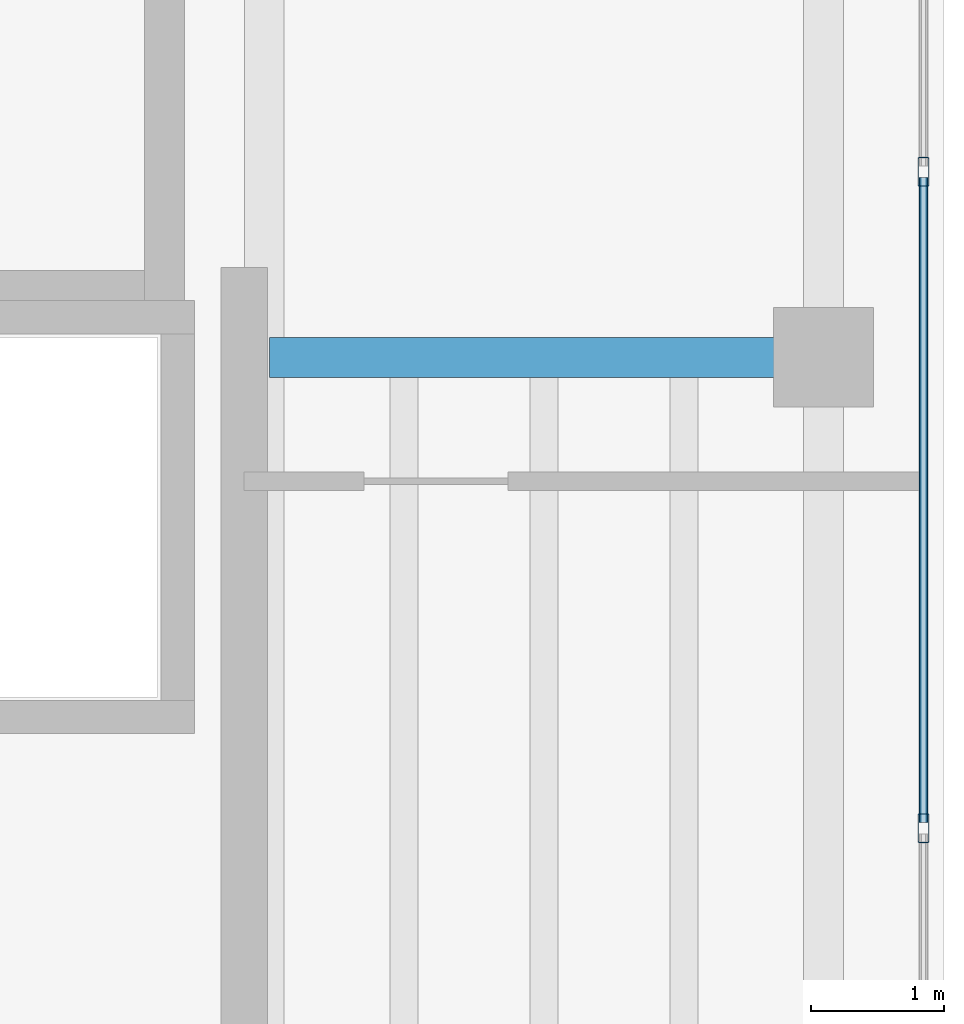
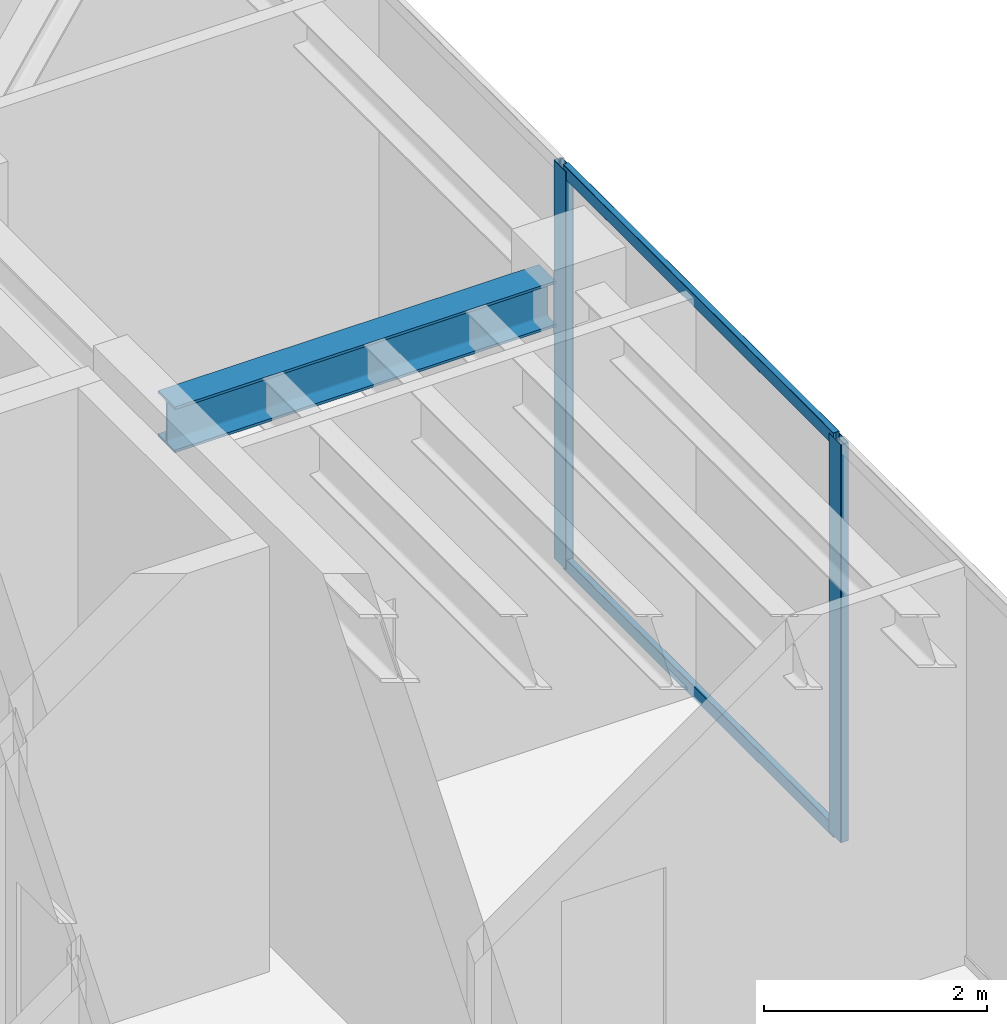
# One storey, part 16 of 34: 4 members, 1 beam, 1 element without a shape of its own.
"""IFC4 building model written with IfcOpenShell, lengths in metres."""

import ifcopenshell
import ifcopenshell.guid

model = None  # the IFC model being written
_history = None  # IfcOwnerHistory: only IFC2X3 demands one
_inside = {}  # id of a spatial element -> (the spatial element, [elements in it])
_under = {}  # id of a project, library or spatial element -> (it, [spatial elements below it])
_declared = {}  # id of a project -> (the project, [libraries it declares])
_typed = {}  # id of a type object -> (the type object, [elements of that type])
_made_of = {}  # id of a material, layer set ... -> (it, [elements and type objects made of it])


def new_model(schema):
    """Start an empty IFC model of exactly this schema.

    Asked for "IFC4X3", IfcOpenShell would pick the latest addendum, in which some entities
    have other attributes; the version numbers below select the first issue.
    IFC2X3 requires an IfcOwnerHistory on every rooted entity: one is made here for all.
    """
    global model, _history
    if schema == "IFC4X3":
        model = ifcopenshell.file(schema_version=(4, 3, 0, 0))
    else:
        model = ifcopenshell.file(schema=schema)
    _inside.clear()
    _under.clear()
    _declared.clear()
    _typed.clear()
    _made_of.clear()
    _history = None
    if model.schema == "IFC2X3":
        org = make("IfcOrganization", Name="unknown")
        user = make(
            "IfcPersonAndOrganization",
            ThePerson=make("IfcPerson", FamilyName="unknown"),
            TheOrganization=org,
        )
        app = make(
            "IfcApplication",
            ApplicationDeveloper=org,
            Version="unknown",
            ApplicationFullName="unknown",
            ApplicationIdentifier="unknown",
        )
        _history = make(
            "IfcOwnerHistory",
            OwningUser=user,
            OwningApplication=app,
            ChangeAction="ADDED",
            CreationDate=0,
        )
    return model


def make(cls, **values):
    """One entity of the class cls with the attributes given. An attribute that is None is left unset."""
    return model.create_entity(
        cls, **{name: value for name, value in values.items() if value is not None}
    )


def rooted(cls, **values):
    """An entity with a GlobalId (a new one), such as an element, a storey or a relation."""
    return make(cls, GlobalId=ifcopenshell.guid.new(), OwnerHistory=_history, **values)


def si_unit(unit_type, name, prefix=None):
    """IfcSIUnit, for example si_unit("LENGTHUNIT", "METRE", prefix="MILLI")."""
    return make("IfcSIUnit", UnitType=unit_type, Prefix=prefix, Name=name)


def assignment(units):
    """IfcUnitAssignment: the units of a project."""
    return None if units is None else make("IfcUnitAssignment", Units=units)


def point(xyz):
    """IfcCartesianPoint."""
    return None if xyz is None else make("IfcCartesianPoint", Coordinates=xyz)


def direction(xyz):
    """IfcDirection."""
    return None if xyz is None else make("IfcDirection", DirectionRatios=xyz)


def frame(location, z_axis=None, x_axis=None):
    """IfcAxis2Placement3D, a coordinate frame: its origin and axes. An axis left out is left unset."""
    return make(
        "IfcAxis2Placement3D",
        Location=point(location),
        Axis=direction(z_axis),
        RefDirection=direction(x_axis),
    )


def frame_2d(location, x_axis=None):
    """IfcAxis2Placement2D, a coordinate frame in the plane: its origin and x axis."""
    return make(
        "IfcAxis2Placement2D", Location=point(location), RefDirection=direction(x_axis)
    )


def origin():
    """The frame at (0, 0, 0) with its axes left unset."""
    return frame((0.0, 0.0, 0.0))


def origin_2d():
    """The frame at (0, 0) in the plane with its x axis left unset."""
    return frame_2d((0.0, 0.0))


def place(relative_to, where):
    """IfcLocalPlacement: puts the frame where relative to a parent placement (None: the world)."""
    return make(
        "IfcLocalPlacement", PlacementRelTo=relative_to, RelativePlacement=where
    )


def context(
    kind, dimensions, precision=None, world=None, true_north=None, identifier=None
):
    """IfcGeometricRepresentationContext, for example the 3D "Model" context."""
    return make(
        "IfcGeometricRepresentationContext",
        ContextIdentifier=identifier,
        ContextType=kind,
        CoordinateSpaceDimension=dimensions,
        Precision=precision,
        WorldCoordinateSystem=world,
        TrueNorth=true_north,
    )


def subcontext(parent, identifier, kind, view, scale=None):
    """IfcGeometricRepresentationSubContext, for example "Body" below "Model"."""
    return make(
        "IfcGeometricRepresentationSubContext",
        ContextIdentifier=identifier,
        ContextType=kind,
        ParentContext=parent,
        TargetScale=scale,
        TargetView=view,
    )


def project(units=None, contexts=None):
    """IfcProject with its units and contexts."""
    return rooted(
        "IfcProject",
        Name="project",
        RepresentationContexts=contexts,
        UnitsInContext=assignment(units),
    )


def spatial(cls, under=None, at=None, **own):
    """A site, building, storey or space (cls), placed at a placement, below another one or the project."""
    s = rooted(cls, ObjectPlacement=at, **own)
    if under is not None:
        _under.setdefault(under.id(), (under, []))[1].append(s)
    return s


def profile(cls, at=None, kind="AREA", **sizes):
    """A parametric profile (cls). Its sizes go by their IFC names, for example OverallWidth=200.0."""
    return make(cls, ProfileType=kind, Position=at, **sizes)


def hollow_rectangle(**sizes):
    """IfcRectangleHollowProfileDef."""
    return profile("IfcRectangleHollowProfileDef", **sizes)


def i_section(**sizes):
    """IfcIShapeProfileDef."""
    return profile("IfcIShapeProfileDef", **sizes)


def extrude(swept, where, along, depth):
    """IfcExtrudedAreaSolid: the profile swept, set in the frame where, extruded along a direction by depth."""
    return make(
        "IfcExtrudedAreaSolid",
        SweptArea=swept,
        Position=where,
        ExtrudedDirection=direction(along),
        Depth=depth,
    )


def shape(context_of_items, identifier, shape_type, items):
    """IfcShapeRepresentation: the items that make up one representation, for example the "Body"."""
    return make(
        "IfcShapeRepresentation",
        ContextOfItems=context_of_items,
        RepresentationIdentifier=identifier,
        RepresentationType=shape_type,
        Items=items,
    )


def material(Name=None, Category=None):
    """IfcMaterial."""
    return make("IfcMaterial", Name=Name, Category=Category)


def layer(
    of_material, thickness, ventilated=None, Name=None, Category=None, Priority=None
):
    """IfcMaterialLayer: one layer of a wall or slab, of a material (None: an air gap)."""
    return make(
        "IfcMaterialLayer",
        Material=of_material,
        LayerThickness=thickness,
        IsVentilated=ventilated,
        Name=Name,
        Category=Category,
        Priority=Priority,
    )


def layer_set(layers, Name=None):
    """IfcMaterialLayerSet."""
    return make("IfcMaterialLayerSet", MaterialLayers=layers, LayerSetName=Name)


def material_profile(
    of_material, cross_section, Name=None, Category=None, Priority=None
):
    """IfcMaterialProfile: a cross section and its material."""
    return make(
        "IfcMaterialProfile",
        Name=Name,
        Material=of_material,
        Profile=cross_section,
        Priority=Priority,
        Category=Category,
    )


def profile_set(profiles, Name=None, composite=None):
    """IfcMaterialProfileSet."""
    return make(
        "IfcMaterialProfileSet",
        Name=Name,
        MaterialProfiles=profiles,
        CompositeProfile=composite,
    )


def made_of(thing, what):
    """Note that an element or type object is made of a material, layer set ...; save() writes the relation."""
    if what is not None:
        _made_of.setdefault(what.id(), (what, []))[1].append(thing)
    return thing


def type_object(cls, material=None, **own):
    """A type object (cls), such as IfcWallType, which elements share."""
    return made_of(rooted(cls, **own), material)


def element(
    cls,
    number,
    at=None,
    inside=None,
    cuts=None,
    type_object=None,
    material=None,
    context=None,
    identifier="Body",
    shape_type=None,
    held_by="IfcProductDefinitionShape",
    body=None,
    shapes=None,
    **own,
):
    """One element of the class cls, such as IfcWall. Its Tag is "e" and its number.

    at: its placement. inside: the storey or other place that contains it. cuts: it is an
    opening in that element (IfcRelVoidsElement). A single representation is given by context,
    identifier, shape_type and body (its items); several are given by shapes. held_by: the class
    of the entity that holds the representations. save() writes the other relations.
    """
    e = rooted(cls, Tag="e%d" % number, ObjectPlacement=at, **own)
    if body is not None:
        shapes = [shape(context, identifier, shape_type, body)]
    if shapes is not None:
        e.Representation = make(held_by, Representations=shapes)
    if inside is not None:
        _inside.setdefault(inside.id(), (inside, []))[1].append(e)
    if cuts is not None:
        rooted(
            "IfcRelVoidsElement", RelatingBuildingElement=cuts, RelatedOpeningElement=e
        )
    if type_object is not None:
        _typed.setdefault(type_object.id(), (type_object, []))[1].append(e)
    return made_of(e, material)


def aggregate(whole, parts):
    """IfcRelAggregates: a whole, such as a stair, and the parts it consists of."""
    return rooted("IfcRelAggregates", RelatingObject=whole, RelatedObjects=parts)


def save(model, path):
    """Write the relations noted so far, then the file.

    IfcRelAggregates (storeys below a building ...), IfcRelContainedInSpatialStructure (elements
    in a storey), IfcRelDefinesByType, IfcRelAssociatesMaterial and IfcRelDeclares: one each for
    every whole, place, type object, material and project.
    """
    for whole, parts in _under.values():
        aggregate(whole, parts)
    for where, things in _inside.values():
        rooted(
            "IfcRelContainedInSpatialStructure",
            RelatedElements=things,
            RelatingStructure=where,
        )
    for kind, things in _typed.values():
        rooted("IfcRelDefinesByType", RelatedObjects=things, RelatingType=kind)
    for what, things in _made_of.values():
        rooted("IfcRelAssociatesMaterial", RelatedObjects=things, RelatingMaterial=what)
    for by, libraries in _declared.values():
        rooted("IfcRelDeclares", RelatingContext=by, RelatedDefinitions=libraries)
    model.write(path)


model = new_model("IFC4")

# Units and contexts
model_context = context("Model", 3, precision=1e-05, world=origin(), true_north=direction((0.0, 1.0)))
body_context = subcontext(model_context, "Body", "Model", "MODEL_VIEW")
ifc_project = project(units=[si_unit("LENGTHUNIT", "METRE"), si_unit("AREAUNIT", "SQUARE_METRE"), si_unit("VOLUMEUNIT", "CUBIC_METRE"), si_unit("PLANEANGLEUNIT", "RADIAN"), si_unit("MASSUNIT", "GRAM", prefix="KILO")], contexts=[model_context])

# Site, building, storey
site_placement = place(None, origin())
site = spatial("IfcSite", under=ifc_project, at=site_placement, CompositionType="ELEMENT")
building_placement = place(site_placement, origin())
building = spatial("IfcBuilding", under=site, at=building_placement, Name="Tarnavaz Court Tower", CompositionType="ELEMENT")
storey_placement = place(building_placement, frame((0.0, 0.0, 231.75)))
storey = spatial("IfcBuildingStorey", under=building, at=storey_placement, Name="L63", CompositionType="ELEMENT", Elevation=231.75)

# Beam
ifc_material_1 = material(Name="Steel S355", Category="steel")
ifc_material_profile_1 = material_profile(ifc_material_1, i_section(OverallWidth=0.300048828125, OverallDepth=0.5, WebThickness=0.014404296875, FlangeThickness=0.028076171875, FilletRadius=0.027099609375, at=origin_2d()), Name="HEB 500")
ifc_profile_set_1 = profile_set([ifc_material_profile_1], Name="Steel S355")
beam_type = type_object("IfcBeamType", Name="BM-G-HEB500", PredefinedType="USERDEFINED", material=ifc_profile_set_1)
beam_placement = place(storey_placement, frame((18.639892578125, 6.0, 4.10009765625), z_axis=(1.0, 0.0, 0.0), x_axis=(0.0, 1.0, 0.0)))
element("IfcBeam", 1, at=beam_placement, inside=storey, type_object=beam_type, Name="L63 Beam RG-10", ObjectType="GIRDER", PredefinedType="USERDEFINED", context=body_context, shape_type="SweptSolid", body=[
    extrude(i_section(OverallWidth=0.300048828125, OverallDepth=0.5, WebThickness=0.014404296875, FlangeThickness=0.028076171875, FilletRadius=0.027099609375, at=origin_2d()), origin(), (0.0, 0.0, 1.0), 3.940185546875),
])

# Curtain wall, members
ifc_material_2 = material(Name="Anodised Aluminium 6063-T6 and Solar Low-E Glazing", Category="aluminium")
ifc_layer = layer(ifc_material_2, 0.199951171875)
ifc_layer_set = layer_set([ifc_layer], Name="Anodised Aluminium 6063-T6 and Solar Low-E Glazing")
curtain_wall_type = type_object("IfcCurtainWallType", Name="CW-SYS-05", PredefinedType="NOTDEFINED", material=ifc_layer_set)
curtain_wall_placement = place(storey_placement, origin())
curtain_wall = element("IfcCurtainWall", 2, at=curtain_wall_placement, inside=storey, type_object=curtain_wall_type, Name="L63 Sky-Portal Curtain Wall 12", PredefinedType="NOTDEFINED")
ifc_material_3 = material(Name="Anodised Aluminium 6063-T6", Category="aluminium")
ifc_material_profile_2 = material_profile(ifc_material_3, hollow_rectangle(XDim=0.0849609375, YDim=0.219970703125, WallThickness=0.006103515625, InnerFilletRadius=0.006103515625, OuterFilletRadius=0.011962890625, at=origin_2d()), Name="ALU RHS 220X85X6")
ifc_profile_set_2 = profile_set([ifc_material_profile_2], Name="Anodised Aluminium 6063-T6")
member_type_1 = type_object("IfcMemberType", Name="CW-MUL-220", PredefinedType="MULLION", material=ifc_profile_set_2)
member_1_placement = place(storey_placement, frame((23.550048828125, 7.392822265625, 0.0), z_axis=(0.0, 0.0, 1.0), x_axis=(1.0, 0.0, 0.0)))
member_1 = element("IfcMember", 3, at=member_1_placement, type_object=member_type_1, Name="CW mullion 3", PredefinedType="MULLION", context=body_context, shape_type="SweptSolid", body=[
    extrude(hollow_rectangle(XDim=0.0849609375, YDim=0.219970703125, WallThickness=0.006103515625, InnerFilletRadius=0.006103515625, OuterFilletRadius=0.011962890625, at=origin_2d()), origin(), (0.0, 0.0, 1.0), 4.35009765625),
])
member_2_placement = place(storey_placement, frame((23.550048828125, 2.46435546875, 0.0), z_axis=(0.0, 0.0, 1.0), x_axis=(1.0, 0.0, 0.0)))
member_2 = element("IfcMember", 4, at=member_2_placement, type_object=member_type_1, Name="CW mullion 4", PredefinedType="MULLION", context=body_context, shape_type="SweptSolid", body=[
    extrude(hollow_rectangle(XDim=0.0849609375, YDim=0.219970703125, WallThickness=0.006103515625, InnerFilletRadius=0.006103515625, OuterFilletRadius=0.011962890625, at=origin_2d()), origin(), (0.0, 0.0, 1.0), 4.35009765625),
])
ifc_material_profile_3 = material_profile(ifc_material_3, hollow_rectangle(XDim=0.06494140625, YDim=0.139892578125, WallThickness=0.00390625, InnerFilletRadius=0.00390625, OuterFilletRadius=0.008056640625, at=origin_2d()), Name="ALU RHS 140X65X4")
ifc_profile_set_3 = profile_set([ifc_material_profile_3], Name="Anodised Aluminium 6063-T6")
member_type_2 = type_object("IfcMemberType", Name="CW-TRN-140", PredefinedType="USERDEFINED", material=ifc_profile_set_3)
member_3_placement = place(storey_placement, frame((23.550048828125, 7.350341796875, 0.032470703125), z_axis=(0.0, -1.0, 0.0), x_axis=(1.0, 0.0, 0.0)))
member_3 = element("IfcMember", 5, at=member_3_placement, type_object=member_type_2, Name="CW transom 3.1", ObjectType="TRANSOM", PredefinedType="USERDEFINED", context=body_context, shape_type="SweptSolid", body=[
    extrude(hollow_rectangle(XDim=0.06494140625, YDim=0.139892578125, WallThickness=0.00390625, InnerFilletRadius=0.00390625, OuterFilletRadius=0.008056640625, at=origin_2d()), origin(), (0.0, 0.0, 1.0), 4.843505859375),
])
member_4_placement = place(storey_placement, frame((23.550048828125, 7.350341796875, 4.3173828125), z_axis=(0.0, -1.0, 0.0), x_axis=(1.0, 0.0, 0.0)))
member_4 = element("IfcMember", 6, at=member_4_placement, type_object=member_type_2, Name="CW transom 3.2", ObjectType="TRANSOM", PredefinedType="USERDEFINED", context=body_context, shape_type="SweptSolid", body=[
    extrude(hollow_rectangle(XDim=0.06494140625, YDim=0.139892578125, WallThickness=0.00390625, InnerFilletRadius=0.00390625, OuterFilletRadius=0.008056640625, at=origin_2d()), origin(), (0.0, 0.0, 1.0), 4.843505859375),
])
aggregate(curtain_wall, [member_1, member_2, member_3, member_4])

save(model, "model.ifc")
